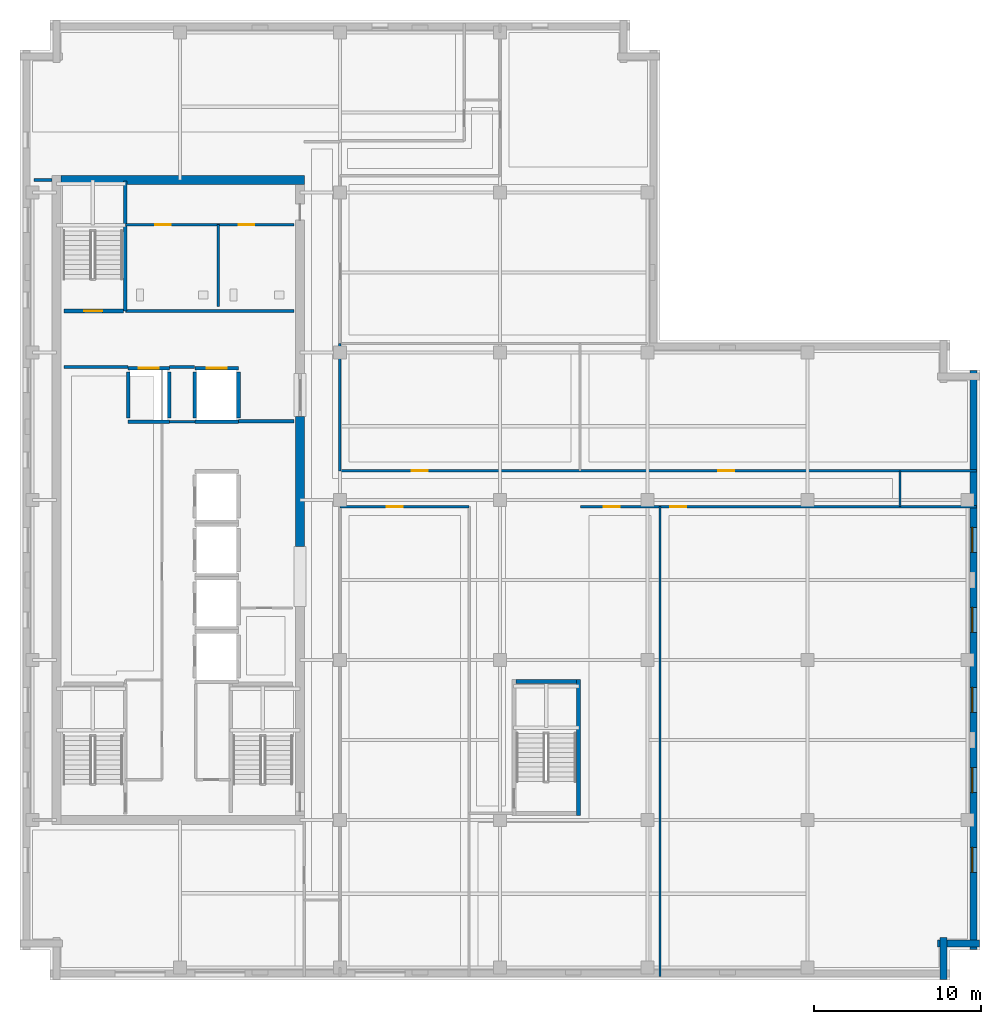
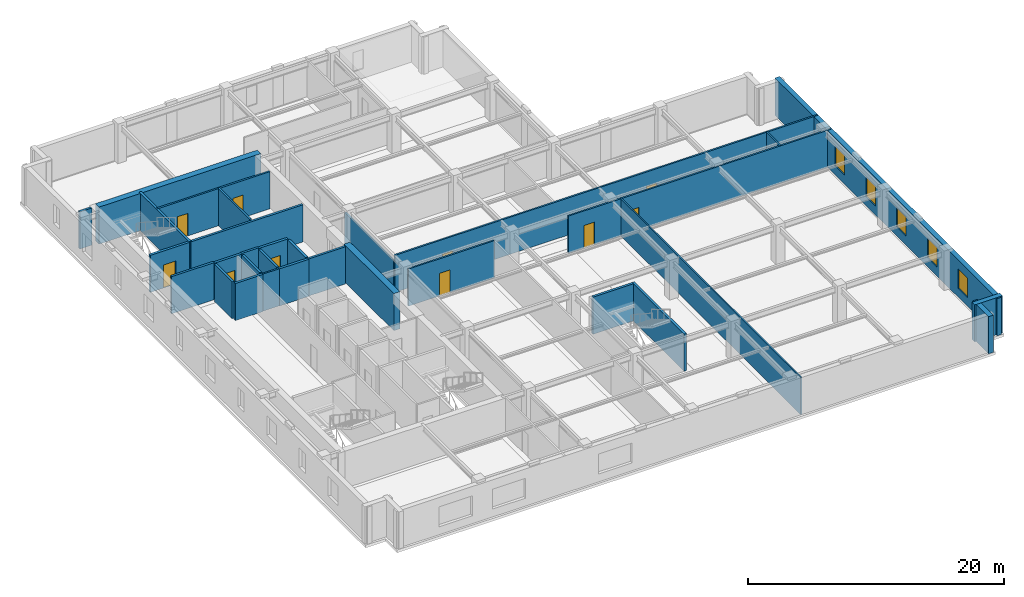
# One storey, part 5 of 11: 31 walls, 10 doors, 5 windows, 15 openings.
"""IFC4 building model written with IfcOpenShell, lengths in metres."""

from ifc_helpers import new_model, si_unit, direction, frame, frame_2d, origin, place, context, subcontext, project, spatial, rectangle, extrude, material, layer, layer_set, type_object, element, fill, save


model = new_model("IFC4")

# Units and contexts
model_context = context("Model", 3, precision=1e-05, world=origin(), true_north=direction((0.0, 1.0)))
body_context = subcontext(model_context, "Body", "Model", "MODEL_VIEW")
ifc_project = project(units=[si_unit("LENGTHUNIT", "METRE"), si_unit("AREAUNIT", "SQUARE_METRE"), si_unit("VOLUMEUNIT", "CUBIC_METRE"), si_unit("PLANEANGLEUNIT", "RADIAN"), si_unit("MASSUNIT", "GRAM", prefix="KILO")], contexts=[model_context])

# Site, building, storey
site_placement = place(None, origin())
site = spatial("IfcSite", under=ifc_project, at=site_placement, CompositionType="ELEMENT")
building_placement = place(site_placement, origin())
building = spatial("IfcBuilding", under=site, at=building_placement, Name="Norrvale University Quadrangle", CompositionType="ELEMENT")
storey_placement = place(building_placement, frame((0.0, 0.0, 248.39990234375)))
storey = spatial("IfcBuildingStorey", under=building, at=storey_placement, Name="L63", CompositionType="ELEMENT", Elevation=248.39990234375)

# Walls
ifc_material_1 = material(Name="Buff Norman Clay Brick Masonry", Category="masonry")
ifc_layer_1 = layer(ifc_material_1, 0.419921875, Name="Buff Norman Clay Brick Masonry")
ifc_layer_set_1 = layer_set([ifc_layer_1], Name="Buff Norman Clay Brick Masonry")
wall_type_1 = type_object("IfcWallType", Name="Wall Buff Brick 420", PredefinedType="SOLIDWALL", material=ifc_layer_set_1)
for number, where, z_axis, x_axis, name in (
    (1, (55.409912109375, 0.0400390625, 0.0), (0.0, 0.0, 1.0), (0.0, 1.0, 0.0), "Exterior Brick Facade Wall L63-02.1"),
    (2, (55.06005859375, 2.18994140625, 0.0), (0.0, 0.0, 1.0), (1.0, 0.0, 0.0), "Exterior Brick Facade Wall L63-03.1"),
):
    element("IfcWall", number, at=place(storey_placement, frame(where, z_axis=z_axis, x_axis=x_axis)), inside=storey, type_object=wall_type_1, Name=name, PredefinedType="SOLIDWALL", context=body_context, shape_type="SweptSolid", body=[
        extrude(rectangle(XDim=2.5, YDim=0.419921875, at=frame_2d((1.25, 0.0))), origin(), (0.0, 0.0, 1.0), 3.5400390625),
    ])

# Wall, openings, windows
wall_1_placement = place(storey_placement, frame((57.2099609375, 1.840087890625, 0.0), z_axis=(0.0, 0.0, 1.0), x_axis=(0.0, 1.0, 0.0)))
wall_1 = element("IfcWall", 3, at=wall_1_placement, inside=storey, type_object=wall_type_1, Name="Exterior Brick Facade Wall L63-04.1", PredefinedType="SOLIDWALL", context=body_context, shape_type="SweptSolid", body=[
    extrude(rectangle(XDim=34.719970703125, YDim=0.419921875, at=frame_2d((17.35986328125, 0.0))), origin(), (0.0, 0.0, 1.0), 3.5400390625),
])
opening_1_placement = place(wall_1_placement, frame((4.610107421875, 0.0, 0.85009765625)))
opening_1 = element("IfcOpeningElement", 4, at=opening_1_placement, cuts=wall_1, Name="Opening W03", PredefinedType="OPENING", context=body_context, shape_type="SweptSolid", body=[
    extrude(rectangle(XDim=1.5, YDim=1.85009765625, at=frame_2d((0.75, 0.925048828125))), frame((0.0, 0.221923828125, 0.0), z_axis=(0.0, -1.0, 0.0), x_axis=(1.0, 0.0, 0.0)), (0.0, 0.0, 1.0), 0.44384765625),
])
opening_2_placement = place(wall_1_placement, frame((9.409912109375, 0.0, 0.85009765625)))
opening_2 = element("IfcOpeningElement", 5, at=opening_2_placement, cuts=wall_1, Name="Opening W03", PredefinedType="OPENING", context=body_context, shape_type="SweptSolid", body=[
    extrude(rectangle(XDim=1.5, YDim=1.85009765625, at=frame_2d((0.75, 0.925048828125))), frame((0.0, 0.221923828125, 0.0), z_axis=(0.0, -1.0, 0.0), x_axis=(1.0, 0.0, 0.0)), (0.0, 0.0, 1.0), 0.44384765625),
])
opening_3_placement = place(wall_1_placement, frame((14.2099609375, 0.0, 0.85009765625)))
opening_3 = element("IfcOpeningElement", 6, at=opening_3_placement, cuts=wall_1, Name="Opening W03", PredefinedType="OPENING", context=body_context, shape_type="SweptSolid", body=[
    extrude(rectangle(XDim=1.5, YDim=1.85009765625, at=frame_2d((0.75, 0.925048828125))), frame((0.0, 0.221923828125, 0.0), z_axis=(0.0, -1.0, 0.0), x_axis=(1.0, 0.0, 0.0)), (0.0, 0.0, 1.0), 0.44384765625),
])
opening_4_placement = place(wall_1_placement, frame((19.010009765625, 0.0, 0.85009765625)))
opening_4 = element("IfcOpeningElement", 7, at=opening_4_placement, cuts=wall_1, Name="Opening W03", PredefinedType="OPENING", context=body_context, shape_type="SweptSolid", body=[
    extrude(rectangle(XDim=1.5, YDim=1.85009765625, at=frame_2d((0.75, 0.925048828125))), frame((0.0, 0.221923828125, 0.0), z_axis=(0.0, -1.0, 0.0), x_axis=(1.0, 0.0, 0.0)), (0.0, 0.0, 1.0), 0.44384765625),
])
opening_5_placement = place(wall_1_placement, frame((23.81005859375, 0.0, 0.85009765625)))
opening_5 = element("IfcOpeningElement", 8, at=opening_5_placement, cuts=wall_1, Name="Opening W03", PredefinedType="OPENING", context=body_context, shape_type="SweptSolid", body=[
    extrude(rectangle(XDim=1.5, YDim=1.85009765625, at=frame_2d((0.75, 0.925048828125))), frame((0.0, 0.221923828125, 0.0), z_axis=(0.0, -1.0, 0.0), x_axis=(1.0, 0.0, 0.0)), (0.0, 0.0, 1.0), 0.44384765625),
])
ifc_material_2 = material(Name="Triple Low-E Argon Glazing", Category="glass")
window_type = type_object("IfcWindowType", Name="Window Studio 1500x2300", PartitioningType="DOUBLE_PANEL_VERTICAL", PredefinedType="WINDOW", material=ifc_material_2)
window_1_placement = place(opening_1_placement, origin())
window_1 = element("IfcWindow", 9, at=window_1_placement, inside=storey, type_object=window_type, Name="Window Studio 1500x2300 WIN-L63-E04-1-01", OverallHeight=1.85009765625, OverallWidth=1.5, PartitioningType="DOUBLE_PANEL_VERTICAL", PredefinedType="WINDOW", context=body_context, shape_type="SweptSolid", body=[
    extrude(rectangle(XDim=1.5, YDim=1.85009765625, at=frame_2d((0.75, 0.925048828125))), frame((0.0, 0.110107421875, 0.0), z_axis=(0.0, -1.0, 0.0), x_axis=(1.0, 0.0, 0.0)), (0.0, 0.0, 1.0), 0.06005859375),
])
fill(opening_1, window_1)
window_2_placement = place(opening_2_placement, origin())
window_2 = element("IfcWindow", 10, at=window_2_placement, inside=storey, type_object=window_type, Name="Window Studio 1500x2300 WIN-L63-E04-1-02", OverallHeight=1.85009765625, OverallWidth=1.5, PartitioningType="DOUBLE_PANEL_VERTICAL", PredefinedType="WINDOW", context=body_context, shape_type="SweptSolid", body=[
    extrude(rectangle(XDim=1.5, YDim=1.85009765625, at=frame_2d((0.75, 0.925048828125))), frame((0.0, 0.110107421875, 0.0), z_axis=(0.0, -1.0, 0.0), x_axis=(1.0, 0.0, 0.0)), (0.0, 0.0, 1.0), 0.06005859375),
])
fill(opening_2, window_2)
window_3_placement = place(opening_3_placement, origin())
window_3 = element("IfcWindow", 11, at=window_3_placement, inside=storey, type_object=window_type, Name="Window Studio 1500x2300 WIN-L63-E04-1-03", OverallHeight=1.85009765625, OverallWidth=1.5, PartitioningType="DOUBLE_PANEL_VERTICAL", PredefinedType="WINDOW", context=body_context, shape_type="SweptSolid", body=[
    extrude(rectangle(XDim=1.5, YDim=1.85009765625, at=frame_2d((0.75, 0.925048828125))), frame((0.0, 0.110107421875, 0.0), z_axis=(0.0, -1.0, 0.0), x_axis=(1.0, 0.0, 0.0)), (0.0, 0.0, 1.0), 0.06005859375),
])
fill(opening_3, window_3)
window_4_placement = place(opening_4_placement, origin())
window_4 = element("IfcWindow", 12, at=window_4_placement, inside=storey, type_object=window_type, Name="Window Studio 1500x2300 WIN-L63-E04-1-04", OverallHeight=1.85009765625, OverallWidth=1.5, PartitioningType="DOUBLE_PANEL_VERTICAL", PredefinedType="WINDOW", context=body_context, shape_type="SweptSolid", body=[
    extrude(rectangle(XDim=1.5, YDim=1.85009765625, at=frame_2d((0.75, 0.925048828125))), frame((0.0, 0.110107421875, 0.0), z_axis=(0.0, -1.0, 0.0), x_axis=(1.0, 0.0, 0.0)), (0.0, 0.0, 1.0), 0.06005859375),
])
fill(opening_4, window_4)
window_5_placement = place(opening_5_placement, origin())
window_5 = element("IfcWindow", 13, at=window_5_placement, inside=storey, type_object=window_type, Name="Window Studio 1500x2300 WIN-L63-E04-1-05", OverallHeight=1.85009765625, OverallWidth=1.5, PartitioningType="DOUBLE_PANEL_VERTICAL", PredefinedType="WINDOW", context=body_context, shape_type="SweptSolid", body=[
    extrude(rectangle(XDim=1.5, YDim=1.85009765625, at=frame_2d((0.75, 0.925048828125))), frame((0.0, 0.110107421875, 0.0), z_axis=(0.0, -1.0, 0.0), x_axis=(1.0, 0.0, 0.0)), (0.0, 0.0, 1.0), 0.06005859375),
])
fill(opening_5, window_5)

# Walls
ifc_material_3 = material(Name="Concrete C60/75", Category="concrete")
ifc_layer_2 = layer(ifc_material_3, 0.550048828125, Name="Concrete C60/75")
ifc_layer_set_2 = layer_set([ifc_layer_2], Name="Concrete C60/75")
wall_type_2 = type_object("IfcWallType", Name="Wall Core 550", PredefinedType="SHEAR", material=ifc_layer_set_2)
wall_2_placement = place(storey_placement, frame((2.47509765625, 48.0, 0.0), z_axis=(0.0, 0.0, 1.0), x_axis=(1.0, 0.0, 0.0)))
element("IfcWall", 14, at=wall_2_placement, inside=storey, type_object=wall_type_2, Name="Tower Core Shear Wall L63-N", PredefinedType="SHEAR", context=body_context, shape_type="SweptSolid", body=[
    extrude(rectangle(XDim=14.599853515625, YDim=0.550048828125, at=frame_2d((7.2998046875, 0.0))), origin(), (0.0, 0.0, 1.0), 3.5400390625),
])
wall_3_placement = place(storey_placement, frame((16.800048828125, 26.0, 0.0), z_axis=(0.0, 0.0, 1.0), x_axis=(0.0, 1.0, 0.0)))
element("IfcWall", 15, at=wall_3_placement, inside=storey, type_object=wall_type_2, Name="Tower Core Shear Wall L63-E2", PredefinedType="SHEAR", context=body_context, shape_type="SweptSolid", body=[
    extrude(rectangle(XDim=7.800048828125, YDim=0.550048828125, at=frame_2d((3.89990234375, 0.0))), origin(), (0.0, 0.0, 1.0), 3.5400390625),
])
ifc_material_4 = material(Name="Standard Academic Gypsum Partition")
ifc_layer_3 = layer(ifc_material_4, 0.125, Name="Standard Academic Gypsum Partition")
ifc_layer_set_3 = layer_set([ifc_layer_3], Name="Standard Academic Gypsum Partition")
wall_type_3 = type_object("IfcWallType", Name="Wall Gypsum Academic 125", PredefinedType="PARTITIONING", material=ifc_layer_set_3)
wall_4_placement = place(storey_placement, frame((38.39990234375, 0.219970703125, 0.0), z_axis=(0.0, 0.0, 1.0), x_axis=(0.0, 1.0, 0.0)))
element("IfcWall", 16, at=wall_4_placement, inside=storey, type_object=wall_type_3, Name="Interior Partition WL-L63-SEP2", PredefinedType="PARTITIONING", context=body_context, shape_type="SweptSolid", body=[
    extrude(rectangle(XDim=28.179931640625, YDim=0.125, at=frame_2d((14.08984375, 0.0))), origin(), (0.0, 0.0, 1.0), 3.5400390625),
])
ifc_material_5 = material(Name="Fire-Rated Gypsum Stud Partition")
ifc_layer_4 = layer(ifc_material_5, 0.14990234375, Name="Fire-Rated Gypsum Stud Partition")
ifc_layer_set_4 = layer_set([ifc_layer_4], Name="Fire-Rated Gypsum Stud Partition")
wall_type_4 = type_object("IfcWallType", Name="Wall Gypsum Corridor 150", PredefinedType="PARTITIONING", material=ifc_layer_set_4)
wall_5_placement = place(storey_placement, frame((8.965087890625, 33.489990234375, 0.0), z_axis=(0.0, 0.0, 1.0), x_axis=(1.0, 0.0, 0.0)))
element("IfcWall", 17, at=wall_5_placement, inside=storey, type_object=wall_type_4, Name="Interior Partition WL-L63-LL3", PredefinedType="PARTITIONING", context=body_context, shape_type="SweptSolid", body=[
    extrude(rectangle(XDim=1.52001953125, YDim=0.14990234375, at=frame_2d((0.760009765625, 0.0))), origin(), (0.0, 0.0, 1.0), 3.5400390625),
])
wall_6_placement = place(storey_placement, frame((52.800048828125, 28.39990234375, 0.0), z_axis=(0.0, 0.0, 1.0), x_axis=(0.0, 1.0, 0.0)))
element("IfcWall", 18, at=wall_6_placement, inside=storey, type_object=wall_type_4, Name="Interior Partition WL-L63-CESP-E", PredefinedType="PARTITIONING", context=body_context, shape_type="SweptSolid", body=[
    extrude(rectangle(XDim=2.150146484375, YDim=0.14990234375, at=frame_2d((1.0751953125, 0.0))), origin(), (0.0, 0.0, 1.0), 3.5400390625),
])

# Wall, opening, door
wall_7_placement = place(storey_placement, frame((19.199951171875, 28.39990234375, 0.0), z_axis=(0.0, 0.0, 1.0), x_axis=(1.0, 0.0, 0.0)))
wall_7 = element("IfcWall", 19, at=wall_7_placement, inside=storey, type_object=wall_type_4, Name="Interior Partition WL-L63-SEW1", PredefinedType="PARTITIONING", context=body_context, shape_type="SweptSolid", body=[
    extrude(rectangle(XDim=7.75, YDim=0.14990234375, at=frame_2d((3.875, 0.0))), origin(), (0.0, 0.0, 1.0), 3.5400390625),
])
opening_6_placement = place(wall_7_placement, frame((2.800048828125, 0.0, 0.0)))
opening_6 = element("IfcOpeningElement", 20, at=opening_6_placement, cuts=wall_7, Name="Opening D07", PredefinedType="OPENING", context=body_context, shape_type="SweptSolid", body=[
    extrude(rectangle(XDim=0.949951171875, YDim=2.14990234375, at=frame_2d((0.47509765625, 1.074951171875))), frame((0.0, 0.0869140625, 0.0), z_axis=(0.0, -1.0, 0.0), x_axis=(1.0, 0.0, 0.0)), (0.0, 0.0, 1.0), 0.173828125),
])
ifc_material_6 = material(Name="Solid-Core Maple Door", Category="wood")
door_type_1 = type_object("IfcDoorType", Name="Door Office 950x2150", OperationType="NOTDEFINED", PredefinedType="DOOR", material=ifc_material_6)
door_1_placement = place(opening_6_placement, origin())
door_1 = element("IfcDoor", 21, at=door_1_placement, inside=storey, type_object=door_type_1, Name="Door Office 950x2150 DR-L63-SE1", OperationType="SINGLE_SWING_LEFT", OverallHeight=2.14990234375, OverallWidth=0.949951171875, PredefinedType="DOOR", context=body_context, shape_type="SweptSolid", body=[
    extrude(rectangle(XDim=0.949951171875, YDim=2.14990234375, at=frame_2d((0.47509765625, 1.074951171875))), frame((0.0, 0.02490234375, 0.0), z_axis=(0.0, -1.0, 0.0), x_axis=(1.0, 0.0, 0.0)), (0.0, 0.0, 1.0), 0.050048828125),
])
fill(opening_6, door_1)

# Wall, openings, doors
wall_8_placement = place(storey_placement, frame((33.6201171875, 28.39990234375, 0.0), z_axis=(0.0, 0.0, 1.0), x_axis=(1.0, 0.0, 0.0)))
wall_8 = element("IfcWall", 22, at=wall_8_placement, inside=storey, type_object=wall_type_4, Name="Interior Partition WL-L63-SEW2", PredefinedType="PARTITIONING", context=body_context, shape_type="SweptSolid", body=[
    extrude(rectangle(XDim=23.759765625, YDim=0.14990234375, at=frame_2d((11.8798828125, 0.0))), origin(), (0.0, 0.0, 1.0), 3.5400390625),
])
opening_7_placement = place(wall_8_placement, frame((1.39990234375, 0.0, 0.0)))
opening_7 = element("IfcOpeningElement", 23, at=opening_7_placement, cuts=wall_8, Name="Opening D07", PredefinedType="OPENING", context=body_context, shape_type="SweptSolid", body=[
    extrude(rectangle(XDim=0.949951171875, YDim=2.14990234375, at=frame_2d((0.47509765625, 1.074951171875))), frame((0.0, 0.0869140625, 0.0), z_axis=(0.0, -1.0, 0.0), x_axis=(1.0, 0.0, 0.0)), (0.0, 0.0, 1.0), 0.173828125),
])
opening_8_placement = place(wall_8_placement, frame((5.39990234375, 0.0, 0.0)))
opening_8 = element("IfcOpeningElement", 24, at=opening_8_placement, cuts=wall_8, Name="Opening D07", PredefinedType="OPENING", context=body_context, shape_type="SweptSolid", body=[
    extrude(rectangle(XDim=0.949951171875, YDim=2.14990234375, at=frame_2d((0.47509765625, 1.074951171875))), frame((0.0, 0.0869140625, 0.0), z_axis=(0.0, -1.0, 0.0), x_axis=(1.0, 0.0, 0.0)), (0.0, 0.0, 1.0), 0.173828125),
])
door_2_placement = place(opening_7_placement, origin())
door_2 = element("IfcDoor", 25, at=door_2_placement, inside=storey, type_object=door_type_1, Name="Door Office 950x2150 DR-L63-SE2", OperationType="SINGLE_SWING_RIGHT", OverallHeight=2.14990234375, OverallWidth=0.949951171875, PredefinedType="DOOR", context=body_context, shape_type="SweptSolid", body=[
    extrude(rectangle(XDim=0.949951171875, YDim=2.14990234375, at=frame_2d((0.47509765625, 1.074951171875))), frame((0.0, 0.02490234375, 0.0), z_axis=(0.0, -1.0, 0.0), x_axis=(1.0, 0.0, 0.0)), (0.0, 0.0, 1.0), 0.050048828125),
])
fill(opening_7, door_2)
door_3_placement = place(opening_8_placement, origin())
door_3 = element("IfcDoor", 26, at=door_3_placement, inside=storey, type_object=door_type_1, Name="Door Office 950x2150 DR-L63-SE3", OperationType="SINGLE_SWING_LEFT", OverallHeight=2.14990234375, OverallWidth=0.949951171875, PredefinedType="DOOR", context=body_context, shape_type="SweptSolid", body=[
    extrude(rectangle(XDim=0.949951171875, YDim=2.14990234375, at=frame_2d((0.47509765625, 1.074951171875))), frame((0.0, 0.02490234375, 0.0), z_axis=(0.0, -1.0, 0.0), x_axis=(1.0, 0.0, 0.0)), (0.0, 0.0, 1.0), 0.050048828125),
])
fill(opening_8, door_3)

wall_9_placement = place(storey_placement, frame((19.199951171875, 30.550048828125, 0.0), z_axis=(0.0, 0.0, 1.0), x_axis=(1.0, 0.0, 0.0)))
wall_9 = element("IfcWall", 27, at=wall_9_placement, inside=storey, type_object=wall_type_4, Name="Interior Partition WL-L63-MECW", PredefinedType="PARTITIONING", context=body_context, shape_type="SweptSolid", body=[
    extrude(rectangle(XDim=38.179931640625, YDim=0.14990234375, at=frame_2d((19.08984375, 0.0))), origin(), (0.0, 0.0, 1.0), 3.5400390625),
])
opening_9_placement = place(wall_9_placement, frame((4.300048828125, 0.0, 0.0)))
opening_9 = element("IfcOpeningElement", 28, at=opening_9_placement, cuts=wall_9, Name="Opening D07", PredefinedType="OPENING", context=body_context, shape_type="SweptSolid", body=[
    extrude(rectangle(XDim=0.949951171875, YDim=2.14990234375, at=frame_2d((0.47509765625, 1.074951171875))), frame((0.0, 0.0869140625, 0.0), z_axis=(0.0, -1.0, 0.0), x_axis=(1.0, 0.0, 0.0)), (0.0, 0.0, 1.0), 0.173828125),
])
opening_10_placement = place(wall_9_placement, frame((22.699951171875, 0.0, 0.0)))
opening_10 = element("IfcOpeningElement", 29, at=opening_10_placement, cuts=wall_9, Name="Opening D07", PredefinedType="OPENING", context=body_context, shape_type="SweptSolid", body=[
    extrude(rectangle(XDim=0.949951171875, YDim=2.14990234375, at=frame_2d((0.47509765625, 1.074951171875))), frame((0.0, 0.0869140625, 0.0), z_axis=(0.0, -1.0, 0.0), x_axis=(1.0, 0.0, 0.0)), (0.0, 0.0, 1.0), 0.173828125),
])
door_4_placement = place(opening_9_placement, origin())
door_4 = element("IfcDoor", 30, at=door_4_placement, inside=storey, type_object=door_type_1, Name="Door Office 950x2150 DR-L63-ME01", OperationType="SINGLE_SWING_LEFT", OverallHeight=2.14990234375, OverallWidth=0.949951171875, PredefinedType="DOOR", context=body_context, shape_type="SweptSolid", body=[
    extrude(rectangle(XDim=0.949951171875, YDim=2.14990234375, at=frame_2d((0.47509765625, 1.074951171875))), frame((0.0, 0.02490234375, 0.0), z_axis=(0.0, -1.0, 0.0), x_axis=(1.0, 0.0, 0.0)), (0.0, 0.0, 1.0), 0.050048828125),
])
fill(opening_9, door_4)
door_5_placement = place(opening_10_placement, origin())
door_5 = element("IfcDoor", 31, at=door_5_placement, inside=storey, type_object=door_type_1, Name="Door Office 950x2150 DR-L63-ME02", OperationType="SINGLE_SWING_RIGHT", OverallHeight=2.14990234375, OverallWidth=0.949951171875, PredefinedType="DOOR", context=body_context, shape_type="SweptSolid", body=[
    extrude(rectangle(XDim=0.949951171875, YDim=2.14990234375, at=frame_2d((0.47509765625, 1.074951171875))), frame((0.0, 0.02490234375, 0.0), z_axis=(0.0, -1.0, 0.0), x_axis=(1.0, 0.0, 0.0)), (0.0, 0.0, 1.0), 0.050048828125),
])
fill(opening_10, door_5)

# Wall
wall_10_placement = place(storey_placement, frame((19.199951171875, 30.550048828125, 0.0), z_axis=(0.0, 0.0, 1.0), x_axis=(0.0, 1.0, 0.0)))
element("IfcWall", 32, at=wall_10_placement, inside=storey, type_object=wall_type_4, Name="Interior Partition WL-L63-ME-W", PredefinedType="PARTITIONING", context=body_context, shape_type="SweptSolid", body=[
    extrude(rectangle(XDim=7.6298828125, YDim=0.14990234375, at=frame_2d((3.81494140625, 0.0))), origin(), (0.0, 0.0, 1.0), 3.007080078125),
])

# Wall, openings, doors
ifc_material_7 = material(Name="Sanitary Chase Gypsum Partition")
ifc_layer_5 = layer(ifc_material_7, 0.1650390625, Name="Sanitary Chase Gypsum Partition")
ifc_layer_set_5 = layer_set([ifc_layer_5], Name="Sanitary Chase Gypsum Partition")
wall_type_5 = type_object("IfcWallType", Name="Wall Gypsum Sanitary 165", PredefinedType="PLUMBINGWALL", material=ifc_layer_set_5)
wall_11_placement = place(storey_placement, frame((6.320068359375, 45.320068359375, 0.0), z_axis=(0.0, 0.0, 1.0), x_axis=(1.0, 0.0, 0.0)))
wall_11 = element("IfcWall", 33, at=wall_11_placement, inside=storey, type_object=wall_type_5, Name="Interior Partition WL-L63-WCN", PredefinedType="PLUMBINGWALL", context=body_context, shape_type="SweptSolid", body=[
    extrude(rectangle(XDim=10.1298828125, YDim=0.1650390625, at=frame_2d((5.06494140625, 0.0))), origin(), (0.0, 0.0, 1.0), 3.5400390625),
])
opening_11_placement = place(wall_11_placement, frame((1.800048828125, 0.0, 0.0)))
opening_11 = element("IfcOpeningElement", 34, at=opening_11_placement, cuts=wall_11, Name="Opening D08", PredefinedType="OPENING", context=body_context, shape_type="SweptSolid", body=[
    extrude(rectangle(XDim=0.919921875, YDim=2.14990234375, at=frame_2d((0.4599609375, 1.074951171875))), frame((0.0, 0.094482421875, 0.0), z_axis=(0.0, -1.0, 0.0), x_axis=(1.0, 0.0, 0.0)), (0.0, 0.0, 1.0), 0.18896484375),
])
opening_12_placement = place(wall_11_placement, frame((6.800048828125, 0.0, 0.0)))
opening_12 = element("IfcOpeningElement", 35, at=opening_12_placement, cuts=wall_11, Name="Opening D08", PredefinedType="OPENING", context=body_context, shape_type="SweptSolid", body=[
    extrude(rectangle(XDim=0.919921875, YDim=2.14990234375, at=frame_2d((0.4599609375, 1.074951171875))), frame((0.0, 0.094482421875, 0.0), z_axis=(0.0, -1.0, 0.0), x_axis=(1.0, 0.0, 0.0)), (0.0, 0.0, 1.0), 0.18896484375),
])
ifc_material_8 = material(Name="Laminate Washroom Door", Category="wood")
door_type_2 = type_object("IfcDoorType", Name="Door Washroom 920x2150", OperationType="NOTDEFINED", PredefinedType="DOOR", material=ifc_material_8)
door_6_placement = place(opening_11_placement, origin())
door_6 = element("IfcDoor", 36, at=door_6_placement, inside=storey, type_object=door_type_2, Name="Door Washroom 920x2150 DR-L63-WC1", OperationType="SINGLE_SWING_LEFT", OverallHeight=2.14990234375, OverallWidth=0.919921875, PredefinedType="DOOR", context=body_context, shape_type="SweptSolid", body=[
    extrude(rectangle(XDim=0.919921875, YDim=2.14990234375, at=frame_2d((0.4599609375, 1.074951171875))), frame((0.0, 0.02490234375, 0.0), z_axis=(0.0, -1.0, 0.0), x_axis=(1.0, 0.0, 0.0)), (0.0, 0.0, 1.0), 0.050048828125),
])
fill(opening_11, door_6)
door_7_placement = place(opening_12_placement, origin())
door_7 = element("IfcDoor", 37, at=door_7_placement, inside=storey, type_object=door_type_2, Name="Door Washroom 920x2150 DR-L63-WC2", OperationType="SINGLE_SWING_RIGHT", OverallHeight=2.14990234375, OverallWidth=0.919921875, PredefinedType="DOOR", context=body_context, shape_type="SweptSolid", body=[
    extrude(rectangle(XDim=0.919921875, YDim=2.14990234375, at=frame_2d((0.4599609375, 1.074951171875))), frame((0.0, 0.02490234375, 0.0), z_axis=(0.0, -1.0, 0.0), x_axis=(1.0, 0.0, 0.0)), (0.0, 0.0, 1.0), 0.050048828125),
])
fill(opening_12, door_7)

# Walls
wall_12_placement = place(storey_placement, frame((11.89990234375, 40.39990234375, 0.0), z_axis=(0.0, 0.0, 1.0), x_axis=(0.0, 1.0, 0.0)))
element("IfcWall", 38, at=wall_12_placement, inside=storey, type_object=wall_type_5, Name="Interior Partition WL-L63-WCM1", PredefinedType="PLUMBINGWALL", context=body_context, shape_type="SweptSolid", body=[
    extrude(rectangle(XDim=4.920166015625, YDim=0.1650390625, at=frame_2d((2.4599609375, 0.0))), origin(), (0.0, 0.0, 1.0), 3.5400390625),
])
ifc_material_9 = material(Name="Concrete Blockwork 20 MPa Rated Wall", Category="masonry")
ifc_layer_6 = layer(ifc_material_9, 0.199951171875, Name="Concrete Blockwork 20 MPa Rated Wall")
ifc_layer_set_6 = layer_set([ifc_layer_6], Name="Concrete Blockwork 20 MPa Rated Wall")
wall_type_6 = type_object("IfcWallType", Name="Wall Lobby 200", PredefinedType="SOLIDWALL", material=ifc_layer_set_6)
wall_13_placement = place(storey_placement, frame((2.64990234375, 36.780029296875, 0.0), z_axis=(0.0, 0.0, 1.0), x_axis=(1.0, 0.0, 0.0)))
element("IfcWall", 39, at=wall_13_placement, inside=storey, type_object=wall_type_6, Name="Interior Partition WL-L63-FF1", PredefinedType="SOLIDWALL", context=body_context, shape_type="SweptSolid", body=[
    extrude(rectangle(XDim=3.830078125, YDim=0.199951171875, at=frame_2d((1.9150390625, 0.0))), origin(), (0.0, 0.0, 1.0), 3.5400390625),
])
wall_14_placement = place(storey_placement, frame((8.969970703125, 36.780029296875, 0.0), z_axis=(0.0, 0.0, 1.0), x_axis=(1.0, 0.0, 0.0)))
element("IfcWall", 40, at=wall_14_placement, inside=storey, type_object=wall_type_6, Name="Interior Partition WL-L63-FF2", PredefinedType="SOLIDWALL", context=body_context, shape_type="SweptSolid", body=[
    extrude(rectangle(XDim=1.510009765625, YDim=0.199951171875, at=frame_2d((0.7548828125, 0.0))), origin(), (0.0, 0.0, 1.0), 3.5400390625),
])
wall_15_placement = place(storey_placement, frame((13.1201171875, 33.52001953125, 0.0), z_axis=(0.0, 0.0, 1.0), x_axis=(1.0, 0.0, 0.0)))
element("IfcWall", 41, at=wall_15_placement, inside=storey, type_object=wall_type_6, Name="Interior Partition WL-L63-FF3", PredefinedType="SOLIDWALL", context=body_context, shape_type="SweptSolid", body=[
    extrude(rectangle(XDim=3.329833984375, YDim=0.199951171875, at=frame_2d((1.6650390625, 0.0))), origin(), (0.0, 0.0, 1.0), 3.5400390625),
])
wall_16_placement = place(storey_placement, frame((6.320068359375, 40.139892578125, 0.0), z_axis=(0.0, 0.0, 1.0), x_axis=(1.0, 0.0, 0.0)))
element("IfcWall", 42, at=wall_16_placement, inside=storey, type_object=wall_type_6, Name="Interior Partition WL-L63-FF4", PredefinedType="SOLIDWALL", context=body_context, shape_type="SweptSolid", body=[
    extrude(rectangle(XDim=10.1298828125, YDim=0.199951171875, at=frame_2d((5.06494140625, 0.0))), origin(), (0.0, 0.0, 1.0), 3.5400390625),
])
wall_17_placement = place(storey_placement, frame((0.85009765625, 48.0, 0.0), z_axis=(0.0, 0.0, 1.0), x_axis=(1.0, 0.0, 0.0)))
element("IfcWall", 43, at=wall_17_placement, inside=storey, type_object=wall_type_6, Name="Interior Partition WL-L63-CWRET-N", PredefinedType="SOLIDWALL", context=body_context, shape_type="SweptSolid", body=[
    extrude(rectangle(XDim=1.06982421875, YDim=0.199951171875, at=frame_2d((0.534912109375, 0.0))), origin(), (0.0, 0.0, 1.0), 3.5400390625),
])

# Wall, opening, door
ifc_material_10 = material(Name="Concrete Blockwork 20 MPa Fire Shaft", Category="masonry")
ifc_layer_7 = layer(ifc_material_10, 0.219970703125, Name="Concrete Blockwork 20 MPa Fire Shaft")
ifc_layer_set_7 = layer_set([ifc_layer_7], Name="Concrete Blockwork 20 MPa Fire Shaft")
wall_type_7 = type_object("IfcWallType", Name="Wall Shaft 220", PredefinedType="SOLIDWALL", material=ifc_layer_set_7)
wall_18_placement = place(storey_placement, frame((2.64990234375, 40.139892578125, 0.0), z_axis=(0.0, 0.0, 1.0), x_axis=(1.0, 0.0, 0.0)))
wall_18 = element("IfcWall", 44, at=wall_18_placement, inside=storey, type_object=wall_type_7, Name="Stair ST-02 South Shaft Wall L63", PredefinedType="SOLIDWALL", context=body_context, shape_type="SweptSolid", body=[
    extrude(rectangle(XDim=3.550048828125, YDim=0.219970703125, at=frame_2d((1.77490234375, 0.0))), origin(), (0.0, 0.0, 1.0), 3.5400390625),
])
opening_13_placement = place(wall_18_placement, frame((1.199951171875, 0.0, 0.0)))
opening_13 = element("IfcOpeningElement", 45, at=opening_13_placement, cuts=wall_18, Name="Opening D02", PredefinedType="OPENING", context=body_context, shape_type="SweptSolid", body=[
    extrude(rectangle(XDim=1.10009765625, YDim=2.199951171875, at=frame_2d((0.550048828125, 1.10009765625))), frame((0.0, 0.1220703125, 0.0), z_axis=(0.0, -1.0, 0.0), x_axis=(1.0, 0.0, 0.0)), (0.0, 0.0, 1.0), 0.243896484375),
])
ifc_material_11 = material(Name="Hollow Steel 350W Fire Door", Category="steel")
door_type_3 = type_object("IfcDoorType", Name="Door Stair Exit 1100x2200", OperationType="NOTDEFINED", PredefinedType="DOOR", material=ifc_material_11)
door_8_placement = place(opening_13_placement, origin())
door_8 = element("IfcDoor", 46, at=door_8_placement, inside=storey, type_object=door_type_3, Name="Door Stair Exit 1100x2200 DR-L63-ST02", OperationType="SINGLE_SWING_LEFT", OverallHeight=2.199951171875, OverallWidth=1.10009765625, PredefinedType="DOOR", context=body_context, shape_type="SweptSolid", body=[
    extrude(rectangle(XDim=1.10009765625, YDim=2.199951171875, at=frame_2d((0.550048828125, 1.10009765625))), frame((0.0, 0.02490234375, 0.0), z_axis=(0.0, -1.0, 0.0), x_axis=(1.0, 0.0, 0.0)), (0.0, 0.0, 1.0), 0.050048828125),
])
fill(opening_13, door_8)

# Walls
wall_19_placement = place(storey_placement, frame((6.31005859375, 40.139892578125, 0.0), z_axis=(0.0, 0.0, 1.0), x_axis=(0.0, 1.0, 0.0)))
element("IfcWall", 47, at=wall_19_placement, inside=storey, type_object=wall_type_7, Name="Stair ST-02 East Shaft Wall L63", PredefinedType="SOLIDWALL", context=body_context, shape_type="SweptSolid", body=[
    extrude(rectangle(XDim=7.81005859375, YDim=0.219970703125, at=frame_2d((3.905029296875, 0.0))), origin(), (0.0, 0.0, 1.0), 3.5400390625),
])
wall_20_placement = place(storey_placement, frame((33.510009765625, 9.8798828125, 0.0), z_axis=(0.0, 0.0, 1.0), x_axis=(0.0, 1.0, 0.0)))
element("IfcWall", 48, at=wall_20_placement, inside=storey, type_object=wall_type_7, Name="Stair ST-04 East Shaft Wall L63", PredefinedType="SOLIDWALL", context=body_context, shape_type="SweptSolid", body=[
    extrude(rectangle(XDim=8.14013671875, YDim=0.219970703125, at=frame_2d((4.070068359375, 0.0))), origin(), (0.0, 0.0, 1.0), 3.5400390625),
])
wall_21_placement = place(storey_placement, frame((29.75, 17.909912109375, 0.0), z_axis=(0.0, 0.0, 1.0), x_axis=(1.0, 0.0, 0.0)))
element("IfcWall", 49, at=wall_21_placement, inside=storey, type_object=wall_type_7, Name="Stair ST-04 North Shaft Wall L63", PredefinedType="SOLIDWALL", context=body_context, shape_type="SweptSolid", body=[
    extrude(rectangle(XDim=3.64990234375, YDim=0.219970703125, at=frame_2d((1.824951171875, 0.0))), origin(), (0.0, 0.0, 1.0), 3.5400390625),
])
for number, where, z_axis, x_axis, name in (
    (50, (6.489990234375, 33.7099609375, 0.0), (0.0, 0.0, 1.0), (0.0, 1.0, 0.0), "Hoistway FFL-01 West Wall L63"),
    (51, (8.9599609375, 33.7099609375, 0.0), (0.0, 0.0, 1.0), (0.0, 1.0, 0.0), "Hoistway FFL-01 East Wall L63"),
):
    element("IfcWall", number, at=place(storey_placement, frame(where, z_axis=z_axis, x_axis=x_axis)), inside=storey, type_object=wall_type_7, Name=name, PredefinedType="SOLIDWALL", context=body_context, shape_type="SweptSolid", body=[
        extrude(rectangle(XDim=2.780029296875, YDim=0.219970703125, at=frame_2d((1.39013671875, 0.0))), origin(), (0.0, 0.0, 1.0), 3.5400390625),
    ])
wall_22_placement = place(storey_placement, frame((6.489990234375, 33.489990234375, 0.0), z_axis=(0.0, 0.0, 1.0), x_axis=(1.0, 0.0, 0.0)))
element("IfcWall", 52, at=wall_22_placement, inside=storey, type_object=wall_type_7, Name="Hoistway FFL-01 South Wall L63", PredefinedType="SOLIDWALL", context=body_context, shape_type="SweptSolid", body=[
    extrude(rectangle(XDim=2.469970703125, YDim=0.219970703125, at=frame_2d((1.23486328125, 0.0))), origin(), (0.0, 0.0, 1.0), 3.5400390625),
])

# Wall, opening, door
wall_23_placement = place(storey_placement, frame((6.489990234375, 36.7099609375, 0.0), z_axis=(0.0, 0.0, 1.0), x_axis=(1.0, 0.0, 0.0)))
wall_23 = element("IfcWall", 53, at=wall_23_placement, inside=storey, type_object=wall_type_7, Name="Hoistway FFL-01 North Wall L63", PredefinedType="SOLIDWALL", context=body_context, shape_type="SweptSolid", body=[
    extrude(rectangle(XDim=2.469970703125, YDim=0.219970703125, at=frame_2d((1.23486328125, 0.0))), origin(), (0.0, 0.0, 1.0), 3.5400390625),
])
opening_14_placement = place(wall_23_placement, frame((0.635009765625, 0.0, 0.0)))
opening_14 = element("IfcOpeningElement", 54, at=opening_14_placement, cuts=wall_23, Name="Opening LD2", PredefinedType="OPENING", context=body_context, shape_type="SweptSolid", body=[
    extrude(rectangle(XDim=1.199951171875, YDim=2.199951171875, at=frame_2d((0.60009765625, 1.10009765625))), frame((0.0, 0.1220703125, 0.0), z_axis=(0.0, -1.0, 0.0), x_axis=(1.0, 0.0, 0.0)), (0.0, 0.0, 1.0), 0.243896484375),
])
ifc_material_12 = material(Name="Stainless Steel 316L Firefighter Lift Door", Category="steel")
door_type_4 = type_object("IfcDoorType", Name="Door Fire Lift 1200x2200", OperationType="DOUBLE_DOOR_SLIDING", PredefinedType="DOOR", material=ifc_material_12)
door_9_placement = place(opening_14_placement, origin())
door_9 = element("IfcDoor", 55, at=door_9_placement, inside=storey, type_object=door_type_4, Name="Elevator Landing Door DR-L63-FFL-01", OperationType="DOUBLE_DOOR_SLIDING", OverallHeight=2.199951171875, OverallWidth=1.199951171875, PredefinedType="DOOR", context=body_context, shape_type="SweptSolid", body=[
    extrude(rectangle(XDim=1.199951171875, YDim=2.199951171875, at=frame_2d((0.60009765625, 1.10009765625))), frame((0.0, 0.02490234375, 0.0), z_axis=(0.0, -1.0, 0.0), x_axis=(1.0, 0.0, 0.0)), (0.0, 0.0, 1.0), 0.050048828125),
])
fill(opening_14, door_9)

# Walls
for number, where, z_axis, x_axis, name in (
    (56, (10.489990234375, 33.7099609375, 0.0), (0.0, 0.0, 1.0), (0.0, 1.0, 0.0), "Hoistway FFL-02 West Wall L63"),
    (57, (13.110107421875, 33.7099609375, 0.0), (0.0, 0.0, 1.0), (0.0, 1.0, 0.0), "Hoistway FFL-02 East Wall L63"),
):
    element("IfcWall", number, at=place(storey_placement, frame(where, z_axis=z_axis, x_axis=x_axis)), inside=storey, type_object=wall_type_7, Name=name, PredefinedType="SOLIDWALL", context=body_context, shape_type="SweptSolid", body=[
        extrude(rectangle(XDim=2.780029296875, YDim=0.219970703125, at=frame_2d((1.39013671875, 0.0))), origin(), (0.0, 0.0, 1.0), 3.5400390625),
    ])
wall_24_placement = place(storey_placement, frame((10.489990234375, 33.489990234375, 0.0), z_axis=(0.0, 0.0, 1.0), x_axis=(1.0, 0.0, 0.0)))
element("IfcWall", 58, at=wall_24_placement, inside=storey, type_object=wall_type_7, Name="Hoistway FFL-02 South Wall L63", PredefinedType="SOLIDWALL", context=body_context, shape_type="SweptSolid", body=[
    extrude(rectangle(XDim=2.6201171875, YDim=0.219970703125, at=frame_2d((1.31005859375, 0.0))), origin(), (0.0, 0.0, 1.0), 3.5400390625),
])

# Wall, opening, door
wall_25_placement = place(storey_placement, frame((10.489990234375, 36.7099609375, 0.0), z_axis=(0.0, 0.0, 1.0), x_axis=(1.0, 0.0, 0.0)))
wall_25 = element("IfcWall", 59, at=wall_25_placement, inside=storey, type_object=wall_type_7, Name="Hoistway FFL-02 North Wall L63", PredefinedType="SOLIDWALL", context=body_context, shape_type="SweptSolid", body=[
    extrude(rectangle(XDim=2.6201171875, YDim=0.219970703125, at=frame_2d((1.31005859375, 0.0))), origin(), (0.0, 0.0, 1.0), 3.5400390625),
])
opening_15_placement = place(wall_25_placement, frame((0.7099609375, 0.0, 0.0)))
opening_15 = element("IfcOpeningElement", 60, at=opening_15_placement, cuts=wall_25, Name="Opening LD2", PredefinedType="OPENING", context=body_context, shape_type="SweptSolid", body=[
    extrude(rectangle(XDim=1.199951171875, YDim=2.199951171875, at=frame_2d((0.60009765625, 1.10009765625))), frame((0.0, 0.1220703125, 0.0), z_axis=(0.0, -1.0, 0.0), x_axis=(1.0, 0.0, 0.0)), (0.0, 0.0, 1.0), 0.243896484375),
])
door_10_placement = place(opening_15_placement, origin())
door_10 = element("IfcDoor", 61, at=door_10_placement, inside=storey, type_object=door_type_4, Name="Elevator Landing Door DR-L63-FFL-02", OperationType="DOUBLE_DOOR_SLIDING", OverallHeight=2.199951171875, OverallWidth=1.199951171875, PredefinedType="DOOR", context=body_context, shape_type="SweptSolid", body=[
    extrude(rectangle(XDim=1.199951171875, YDim=2.199951171875, at=frame_2d((0.60009765625, 1.10009765625))), frame((0.0, 0.02490234375, 0.0), z_axis=(0.0, -1.0, 0.0), x_axis=(1.0, 0.0, 0.0)), (0.0, 0.0, 1.0), 0.050048828125),
])
fill(opening_15, door_10)

save(model, "model.ifc")
